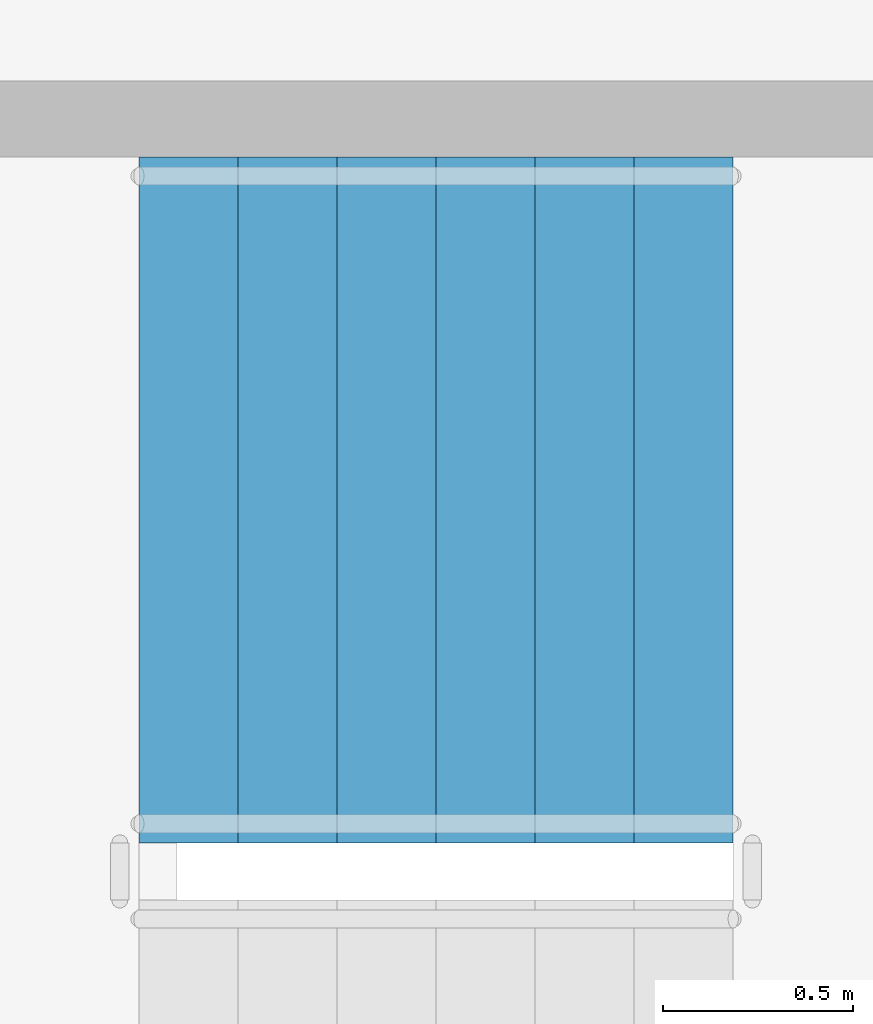
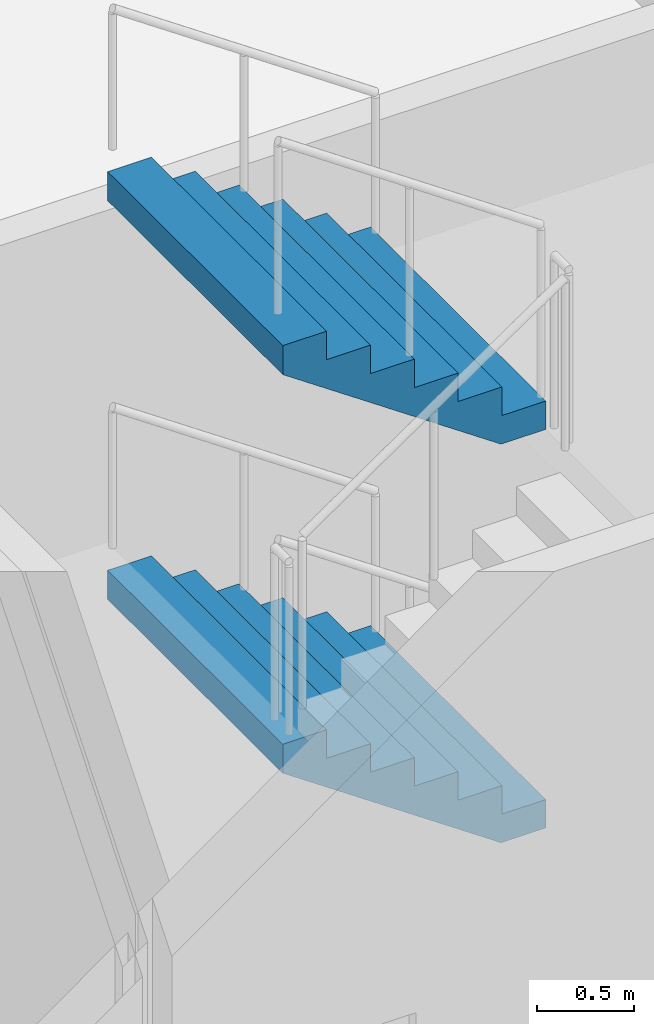
# One storey, part 49 of 59: 2 stair flights, 1 element without a shape of its own.
"""IFC4 building model written with IfcOpenShell, lengths in metres."""

from ifc_helpers import new_model, si_unit, direction, frame, origin, place, context, subcontext, project, spatial, faceted_brep, material, type_object, element, aggregate, save


model = new_model("IFC4")

# Units and contexts
model_context = context("Model", 3, precision=1e-05, world=origin(), true_north=direction((0.0, 1.0)))
body_context = subcontext(model_context, "Body", "Model", "MODEL_VIEW")
ifc_project = project(units=[si_unit("LENGTHUNIT", "METRE"), si_unit("AREAUNIT", "SQUARE_METRE"), si_unit("VOLUMEUNIT", "CUBIC_METRE"), si_unit("PLANEANGLEUNIT", "RADIAN"), si_unit("MASSUNIT", "GRAM", prefix="KILO")], contexts=[model_context])

# Site, building, storey
site_placement = place(None, origin())
site = spatial("IfcSite", under=ifc_project, at=site_placement, CompositionType="ELEMENT")
building_placement = place(site_placement, origin())
building = spatial("IfcBuilding", under=site, at=building_placement, Name="Ipe Terrace Towers", CompositionType="ELEMENT")
storey_placement = place(building_placement, frame((0.0, 0.0, 6.0)))
storey = spatial("IfcBuildingStorey", under=building, at=storey_placement, Name="L01", CompositionType="ELEMENT", Elevation=6.0)

# Stair, stair flights
ifc_material_1 = material(Name="Concrete C30/37", Category="concrete")
stair_type = type_object("IfcStairType", Name="Protected exit stair", PredefinedType="HALF_TURN_STAIR", material=ifc_material_1)
stair_placement = place(storey_placement, origin())
stair = element("IfcStair", 1, at=stair_placement, inside=storey, type_object=stair_type, Name="L01 Podium exit stair PS8", PredefinedType="HALF_TURN_STAIR")
ifc_material_2 = material(Name="Concrete C30/37", Category="concrete")
stair_flight_type = type_object("IfcStairFlightType", Name="Exit stair flight 1800", PredefinedType="STRAIGHT", material=ifc_material_2)
stair_flight_1_placement = place(storey_placement, frame((60.25, 4.449951171875, 1.25), z_axis=(0.0, 0.0, 1.0), x_axis=(-1.0, 0.0, 0.0)))
stair_flight_1 = element("IfcStairFlight", 2, at=stair_flight_1_placement, type_object=stair_flight_type, Name="PS8 flight 2", NumberOfRisers=7, NumberOfTreads=6, PredefinedType="STRAIGHT", RiserHeight=0.178571429, TreadLength=0.26, context=body_context, shape_type="Brep", body=[
    faceted_brep([(0.264892578125, -0.89990234375, 0.0), (1.56005859375, -0.89990234375, 0.8896484375), (1.56005859375, -0.89990234375, 1.071533203125), (1.300048828125, -0.89990234375, 1.071533203125), (1.300048828125, -0.89990234375, 0.892822265625), (1.0400390625, -0.89990234375, 0.892822265625), (1.0400390625, -0.89990234375, 0.71435546875), (0.780029296875, -0.89990234375, 0.71435546875), (0.780029296875, -0.89990234375, 0.53564453125), (0.52001953125, -0.89990234375, 0.53564453125), (0.52001953125, -0.89990234375, 0.357177734375), (0.260009765625, -0.89990234375, 0.357177734375), (0.260009765625, -0.89990234375, 0.178466796875), (0.0, -0.89990234375, 0.178466796875), (0.0, -0.89990234375, 0.0), (0.0, 0.89990234375, 0.0), (0.0, 0.89990234375, 0.178466796875), (0.260009765625, 0.89990234375, 0.178466796875), (0.260009765625, 0.89990234375, 0.357177734375), (0.52001953125, 0.89990234375, 0.357177734375), (0.52001953125, 0.89990234375, 0.53564453125), (0.780029296875, 0.89990234375, 0.53564453125), (0.780029296875, 0.89990234375, 0.71435546875), (1.0400390625, 0.89990234375, 0.71435546875), (1.0400390625, 0.89990234375, 0.892822265625), (1.300048828125, 0.89990234375, 0.892822265625), (1.300048828125, 0.89990234375, 1.071533203125), (1.56005859375, 0.89990234375, 1.071533203125), (1.56005859375, 0.89990234375, 0.8896484375), (0.264892578125, 0.89990234375, 0.0), (0.0, -0.300048828125, 0.178466796875), (0.0, -0.1201171875, 0.178466796875), (0.0, -0.06005859375, 0.178466796875), (0.0, -0.030029296875, 0.178466796875), (0.0, -0.010009765625, 0.178466796875), (0.0, 0.0, 0.178466796875), (0.0, 0.010009765625, 0.178466796875), (0.0, 0.030029296875, 0.178466796875), (0.0, 0.06005859375, 0.178466796875), (0.0, 0.1201171875, 0.178466796875), (0.0, 0.300048828125, 0.178466796875), (0.0, 0.300048828125, 0.0), (0.0, 0.1201171875, 0.0), (0.0, 0.06005859375, 0.0), (0.0, 0.030029296875, 0.0), (0.0, 0.010009765625, 0.0), (0.0, 0.0, 0.0), (0.0, -0.010009765625, 0.0), (0.0, -0.030029296875, 0.0), (0.0, -0.06005859375, 0.0), (0.0, -0.1201171875, 0.0), (0.0, -0.300048828125, 0.0), (0.260009765625, -0.300048828125, 0.178466796875), (0.260009765625, -0.1201171875, 0.178466796875), (0.260009765625, -0.06005859375, 0.178466796875), (0.260009765625, -0.030029296875, 0.178466796875), (0.260009765625, -0.010009765625, 0.178466796875), (0.260009765625, 0.0, 0.178466796875), (0.260009765625, 0.010009765625, 0.178466796875), (0.260009765625, 0.030029296875, 0.178466796875), (0.260009765625, 0.06005859375, 0.178466796875), (0.260009765625, 0.1201171875, 0.178466796875), (0.260009765625, 0.300048828125, 0.178466796875), (0.260009765625, -0.300048828125, 0.357177734375), (0.260009765625, -0.1201171875, 0.357177734375), (0.260009765625, -0.06005859375, 0.357177734375), (0.260009765625, -0.030029296875, 0.357177734375), (0.260009765625, -0.010009765625, 0.357177734375), (0.260009765625, 0.0, 0.357177734375), (0.260009765625, 0.010009765625, 0.357177734375), (0.260009765625, 0.030029296875, 0.357177734375), (0.260009765625, 0.06005859375, 0.357177734375), (0.260009765625, 0.1201171875, 0.357177734375), (0.260009765625, 0.300048828125, 0.357177734375), (0.52001953125, -0.300048828125, 0.357177734375), (0.52001953125, -0.1201171875, 0.357177734375), (0.52001953125, -0.06005859375, 0.357177734375), (0.52001953125, -0.030029296875, 0.357177734375), (0.52001953125, -0.010009765625, 0.357177734375), (0.52001953125, 0.0, 0.357177734375), (0.52001953125, 0.010009765625, 0.357177734375), (0.52001953125, 0.030029296875, 0.357177734375), (0.52001953125, 0.06005859375, 0.357177734375), (0.52001953125, 0.1201171875, 0.357177734375), (0.52001953125, 0.300048828125, 0.357177734375), (0.52001953125, -0.300048828125, 0.53564453125), (0.52001953125, -0.1201171875, 0.53564453125), (0.52001953125, -0.06005859375, 0.53564453125), (0.52001953125, -0.030029296875, 0.53564453125), (0.52001953125, -0.010009765625, 0.53564453125), (0.52001953125, 0.0, 0.53564453125), (0.52001953125, 0.010009765625, 0.53564453125), (0.52001953125, 0.030029296875, 0.53564453125), (0.52001953125, 0.06005859375, 0.53564453125), (0.52001953125, 0.1201171875, 0.53564453125), (0.52001953125, 0.300048828125, 0.53564453125), (0.780029296875, -0.300048828125, 0.53564453125), (0.780029296875, -0.1201171875, 0.53564453125), (0.780029296875, -0.06005859375, 0.53564453125), (0.780029296875, -0.030029296875, 0.53564453125), (0.780029296875, -0.010009765625, 0.53564453125), (0.780029296875, 0.0, 0.53564453125), (0.780029296875, 0.010009765625, 0.53564453125), (0.780029296875, 0.030029296875, 0.53564453125), (0.780029296875, 0.06005859375, 0.53564453125), (0.780029296875, 0.1201171875, 0.53564453125), (0.780029296875, 0.300048828125, 0.53564453125), (0.780029296875, -0.300048828125, 0.71435546875), (0.780029296875, -0.1201171875, 0.71435546875), (0.780029296875, -0.06005859375, 0.71435546875), (0.780029296875, -0.030029296875, 0.71435546875), (0.780029296875, -0.010009765625, 0.71435546875), (0.780029296875, 0.0, 0.71435546875), (0.780029296875, 0.010009765625, 0.71435546875), (0.780029296875, 0.030029296875, 0.71435546875), (0.780029296875, 0.06005859375, 0.71435546875), (0.780029296875, 0.1201171875, 0.71435546875), (0.780029296875, 0.300048828125, 0.71435546875), (1.0400390625, -0.300048828125, 0.71435546875), (1.0400390625, -0.1201171875, 0.71435546875), (1.0400390625, -0.06005859375, 0.71435546875), (1.0400390625, -0.030029296875, 0.71435546875), (1.0400390625, -0.010009765625, 0.71435546875), (1.0400390625, 0.0, 0.71435546875), (1.0400390625, 0.010009765625, 0.71435546875), (1.0400390625, 0.030029296875, 0.71435546875), (1.0400390625, 0.06005859375, 0.71435546875), (1.0400390625, 0.1201171875, 0.71435546875), (1.0400390625, 0.300048828125, 0.71435546875), (1.0400390625, -0.300048828125, 0.892822265625), (1.0400390625, -0.1201171875, 0.892822265625), (1.0400390625, -0.06005859375, 0.892822265625), (1.0400390625, -0.030029296875, 0.892822265625), (1.0400390625, -0.010009765625, 0.892822265625), (1.0400390625, 0.0, 0.892822265625), (1.0400390625, 0.010009765625, 0.892822265625), (1.0400390625, 0.030029296875, 0.892822265625), (1.0400390625, 0.06005859375, 0.892822265625), (1.0400390625, 0.1201171875, 0.892822265625), (1.0400390625, 0.300048828125, 0.892822265625), (1.300048828125, -0.300048828125, 0.892822265625), (1.300048828125, -0.1201171875, 0.892822265625), (1.300048828125, -0.06005859375, 0.892822265625), (1.300048828125, -0.030029296875, 0.892822265625), (1.300048828125, -0.010009765625, 0.892822265625), (1.300048828125, 0.0, 0.892822265625), (1.300048828125, 0.010009765625, 0.892822265625), (1.300048828125, 0.030029296875, 0.892822265625), (1.300048828125, 0.06005859375, 0.892822265625), (1.300048828125, 0.1201171875, 0.892822265625), (1.300048828125, 0.300048828125, 0.892822265625), (1.300048828125, -0.300048828125, 1.071533203125), (1.300048828125, -0.1201171875, 1.071533203125), (1.300048828125, -0.06005859375, 1.071533203125), (1.300048828125, -0.030029296875, 1.071533203125), (1.300048828125, -0.010009765625, 1.071533203125), (1.300048828125, 0.0, 1.071533203125), (1.300048828125, 0.010009765625, 1.071533203125), (1.300048828125, 0.030029296875, 1.071533203125), (1.300048828125, 0.06005859375, 1.071533203125), (1.300048828125, 0.1201171875, 1.071533203125), (1.300048828125, 0.300048828125, 1.071533203125), (1.56005859375, -0.300048828125, 1.071533203125), (1.56005859375, -0.1201171875, 1.071533203125), (1.56005859375, -0.06005859375, 1.071533203125), (1.56005859375, -0.030029296875, 1.071533203125), (1.56005859375, -0.010009765625, 1.071533203125), (1.56005859375, 0.0, 1.071533203125), (1.56005859375, 0.010009765625, 1.071533203125), (1.56005859375, 0.030029296875, 1.071533203125), (1.56005859375, 0.06005859375, 1.071533203125), (1.56005859375, 0.1201171875, 1.071533203125), (1.56005859375, 0.300048828125, 1.071533203125), (1.56005859375, -0.300048828125, 0.8896484375), (1.56005859375, -0.1201171875, 0.8896484375), (1.56005859375, -0.06005859375, 0.8896484375), (1.56005859375, -0.030029296875, 0.8896484375), (1.56005859375, -0.010009765625, 0.8896484375), (1.56005859375, 0.0, 0.8896484375), (1.56005859375, 0.010009765625, 0.8896484375), (1.56005859375, 0.030029296875, 0.8896484375), (1.56005859375, 0.06005859375, 0.8896484375), (1.56005859375, 0.1201171875, 0.8896484375), (1.56005859375, 0.300048828125, 0.8896484375), (0.264892578125, -0.300048828125, 0.0), (0.264892578125, -0.1201171875, 0.0), (0.264892578125, -0.06005859375, 0.0), (0.264892578125, -0.030029296875, 0.0), (0.264892578125, -0.010009765625, 0.0), (0.264892578125, 0.0, 0.0), (0.264892578125, 0.010009765625, 0.0), (0.264892578125, 0.030029296875, 0.0), (0.264892578125, 0.06005859375, 0.0), (0.264892578125, 0.1201171875, 0.0), (0.264892578125, 0.300048828125, 0.0)], [[[0, 1, 2, 3, 4, 5, 6, 7, 8, 9, 10, 11, 12, 13, 14]], [[15, 16, 17, 18, 19, 20, 21, 22, 23, 24, 25, 26, 27, 28, 29]], [[13, 30, 31, 32, 33, 34, 35, 36, 37, 38, 39, 40, 16, 15, 41, 42, 43, 44, 45, 46, 47, 48, 49, 50, 51, 14]], [[12, 52, 53, 54, 55, 56, 57, 58, 59, 60, 61, 62, 17, 16, 40, 39, 38, 37, 36, 35, 34, 33, 32, 31, 30, 13]], [[11, 63, 64, 65, 66, 67, 68, 69, 70, 71, 72, 73, 18, 17, 62, 61, 60, 59, 58, 57, 56, 55, 54, 53, 52, 12]], [[10, 74, 75, 76, 77, 78, 79, 80, 81, 82, 83, 84, 19, 18, 73, 72, 71, 70, 69, 68, 67, 66, 65, 64, 63, 11]], [[9, 85, 86, 87, 88, 89, 90, 91, 92, 93, 94, 95, 20, 19, 84, 83, 82, 81, 80, 79, 78, 77, 76, 75, 74, 10]], [[8, 96, 97, 98, 99, 100, 101, 102, 103, 104, 105, 106, 21, 20, 95, 94, 93, 92, 91, 90, 89, 88, 87, 86, 85, 9]], [[7, 107, 108, 109, 110, 111, 112, 113, 114, 115, 116, 117, 22, 21, 106, 105, 104, 103, 102, 101, 100, 99, 98, 97, 96, 8]], [[6, 118, 119, 120, 121, 122, 123, 124, 125, 126, 127, 128, 23, 22, 117, 116, 115, 114, 113, 112, 111, 110, 109, 108, 107, 7]], [[5, 129, 130, 131, 132, 133, 134, 135, 136, 137, 138, 139, 24, 23, 128, 127, 126, 125, 124, 123, 122, 121, 120, 119, 118, 6]], [[4, 140, 141, 142, 143, 144, 145, 146, 147, 148, 149, 150, 25, 24, 139, 138, 137, 136, 135, 134, 133, 132, 131, 130, 129, 5]], [[3, 151, 152, 153, 154, 155, 156, 157, 158, 159, 160, 161, 26, 25, 150, 149, 148, 147, 146, 145, 144, 143, 142, 141, 140, 4]], [[2, 162, 163, 164, 165, 166, 167, 168, 169, 170, 171, 172, 27, 26, 161, 160, 159, 158, 157, 156, 155, 154, 153, 152, 151, 3]], [[1, 173, 174, 175, 176, 177, 178, 179, 180, 181, 182, 183, 28, 27, 172, 171, 170, 169, 168, 167, 166, 165, 164, 163, 162, 2]], [[0, 184, 185, 186, 187, 188, 189, 190, 191, 192, 193, 194, 29, 28, 183, 182, 181, 180, 179, 178, 177, 176, 175, 174, 173, 1]], [[14, 51, 50, 49, 48, 47, 46, 45, 44, 43, 42, 41, 15, 29, 194, 193, 192, 191, 190, 189, 188, 187, 186, 185, 184, 0]]]),
])
stair_flight_2_placement = place(storey_placement, frame((60.25, 4.449951171875, 3.75), z_axis=(0.0, 0.0, 1.0), x_axis=(-1.0, 0.0, 0.0)))
stair_flight_2 = element("IfcStairFlight", 3, at=stair_flight_2_placement, type_object=stair_flight_type, Name="PS8 flight 4", NumberOfRisers=7, NumberOfTreads=6, PredefinedType="STRAIGHT", RiserHeight=0.178571429, TreadLength=0.26, context=body_context, shape_type="Brep", body=[
    faceted_brep([(0.264892578125, -0.89990234375, 0.0), (1.56005859375, -0.89990234375, 0.8896484375), (1.56005859375, -0.89990234375, 1.071533203125), (1.300048828125, -0.89990234375, 1.071533203125), (1.300048828125, -0.89990234375, 0.892822265625), (1.0400390625, -0.89990234375, 0.892822265625), (1.0400390625, -0.89990234375, 0.71435546875), (0.780029296875, -0.89990234375, 0.71435546875), (0.780029296875, -0.89990234375, 0.53564453125), (0.52001953125, -0.89990234375, 0.53564453125), (0.52001953125, -0.89990234375, 0.357177734375), (0.260009765625, -0.89990234375, 0.357177734375), (0.260009765625, -0.89990234375, 0.178466796875), (0.0, -0.89990234375, 0.178466796875), (0.0, -0.89990234375, 0.0), (0.0, 0.89990234375, 0.0), (0.0, 0.89990234375, 0.178466796875), (0.260009765625, 0.89990234375, 0.178466796875), (0.260009765625, 0.89990234375, 0.357177734375), (0.52001953125, 0.89990234375, 0.357177734375), (0.52001953125, 0.89990234375, 0.53564453125), (0.780029296875, 0.89990234375, 0.53564453125), (0.780029296875, 0.89990234375, 0.71435546875), (1.0400390625, 0.89990234375, 0.71435546875), (1.0400390625, 0.89990234375, 0.892822265625), (1.300048828125, 0.89990234375, 0.892822265625), (1.300048828125, 0.89990234375, 1.071533203125), (1.56005859375, 0.89990234375, 1.071533203125), (1.56005859375, 0.89990234375, 0.8896484375), (0.264892578125, 0.89990234375, 0.0), (0.0, -0.300048828125, 0.178466796875), (0.0, -0.1201171875, 0.178466796875), (0.0, -0.06005859375, 0.178466796875), (0.0, -0.030029296875, 0.178466796875), (0.0, -0.010009765625, 0.178466796875), (0.0, 0.0, 0.178466796875), (0.0, 0.010009765625, 0.178466796875), (0.0, 0.030029296875, 0.178466796875), (0.0, 0.06005859375, 0.178466796875), (0.0, 0.1201171875, 0.178466796875), (0.0, 0.300048828125, 0.178466796875), (0.0, 0.300048828125, 0.0), (0.0, 0.1201171875, 0.0), (0.0, 0.06005859375, 0.0), (0.0, 0.030029296875, 0.0), (0.0, 0.010009765625, 0.0), (0.0, 0.0, 0.0), (0.0, -0.010009765625, 0.0), (0.0, -0.030029296875, 0.0), (0.0, -0.06005859375, 0.0), (0.0, -0.1201171875, 0.0), (0.0, -0.300048828125, 0.0), (0.260009765625, -0.300048828125, 0.178466796875), (0.260009765625, -0.1201171875, 0.178466796875), (0.260009765625, -0.06005859375, 0.178466796875), (0.260009765625, -0.030029296875, 0.178466796875), (0.260009765625, -0.010009765625, 0.178466796875), (0.260009765625, 0.0, 0.178466796875), (0.260009765625, 0.010009765625, 0.178466796875), (0.260009765625, 0.030029296875, 0.178466796875), (0.260009765625, 0.06005859375, 0.178466796875), (0.260009765625, 0.1201171875, 0.178466796875), (0.260009765625, 0.300048828125, 0.178466796875), (0.260009765625, -0.300048828125, 0.357177734375), (0.260009765625, -0.1201171875, 0.357177734375), (0.260009765625, -0.06005859375, 0.357177734375), (0.260009765625, -0.030029296875, 0.357177734375), (0.260009765625, -0.010009765625, 0.357177734375), (0.260009765625, 0.0, 0.357177734375), (0.260009765625, 0.010009765625, 0.357177734375), (0.260009765625, 0.030029296875, 0.357177734375), (0.260009765625, 0.06005859375, 0.357177734375), (0.260009765625, 0.1201171875, 0.357177734375), (0.260009765625, 0.300048828125, 0.357177734375), (0.52001953125, -0.300048828125, 0.357177734375), (0.52001953125, -0.1201171875, 0.357177734375), (0.52001953125, -0.06005859375, 0.357177734375), (0.52001953125, -0.030029296875, 0.357177734375), (0.52001953125, -0.010009765625, 0.357177734375), (0.52001953125, 0.0, 0.357177734375), (0.52001953125, 0.010009765625, 0.357177734375), (0.52001953125, 0.030029296875, 0.357177734375), (0.52001953125, 0.06005859375, 0.357177734375), (0.52001953125, 0.1201171875, 0.357177734375), (0.52001953125, 0.300048828125, 0.357177734375), (0.52001953125, -0.300048828125, 0.53564453125), (0.52001953125, -0.1201171875, 0.53564453125), (0.52001953125, -0.06005859375, 0.53564453125), (0.52001953125, -0.030029296875, 0.53564453125), (0.52001953125, -0.010009765625, 0.53564453125), (0.52001953125, 0.0, 0.53564453125), (0.52001953125, 0.010009765625, 0.53564453125), (0.52001953125, 0.030029296875, 0.53564453125), (0.52001953125, 0.06005859375, 0.53564453125), (0.52001953125, 0.1201171875, 0.53564453125), (0.52001953125, 0.300048828125, 0.53564453125), (0.780029296875, -0.300048828125, 0.53564453125), (0.780029296875, -0.1201171875, 0.53564453125), (0.780029296875, -0.06005859375, 0.53564453125), (0.780029296875, -0.030029296875, 0.53564453125), (0.780029296875, -0.010009765625, 0.53564453125), (0.780029296875, 0.0, 0.53564453125), (0.780029296875, 0.010009765625, 0.53564453125), (0.780029296875, 0.030029296875, 0.53564453125), (0.780029296875, 0.06005859375, 0.53564453125), (0.780029296875, 0.1201171875, 0.53564453125), (0.780029296875, 0.300048828125, 0.53564453125), (0.780029296875, -0.300048828125, 0.71435546875), (0.780029296875, -0.1201171875, 0.71435546875), (0.780029296875, -0.06005859375, 0.71435546875), (0.780029296875, -0.030029296875, 0.71435546875), (0.780029296875, -0.010009765625, 0.71435546875), (0.780029296875, 0.0, 0.71435546875), (0.780029296875, 0.010009765625, 0.71435546875), (0.780029296875, 0.030029296875, 0.71435546875), (0.780029296875, 0.06005859375, 0.71435546875), (0.780029296875, 0.1201171875, 0.71435546875), (0.780029296875, 0.300048828125, 0.71435546875), (1.0400390625, -0.300048828125, 0.71435546875), (1.0400390625, -0.1201171875, 0.71435546875), (1.0400390625, -0.06005859375, 0.71435546875), (1.0400390625, -0.030029296875, 0.71435546875), (1.0400390625, -0.010009765625, 0.71435546875), (1.0400390625, 0.0, 0.71435546875), (1.0400390625, 0.010009765625, 0.71435546875), (1.0400390625, 0.030029296875, 0.71435546875), (1.0400390625, 0.06005859375, 0.71435546875), (1.0400390625, 0.1201171875, 0.71435546875), (1.0400390625, 0.300048828125, 0.71435546875), (1.0400390625, -0.300048828125, 0.892822265625), (1.0400390625, -0.1201171875, 0.892822265625), (1.0400390625, -0.06005859375, 0.892822265625), (1.0400390625, -0.030029296875, 0.892822265625), (1.0400390625, -0.010009765625, 0.892822265625), (1.0400390625, 0.0, 0.892822265625), (1.0400390625, 0.010009765625, 0.892822265625), (1.0400390625, 0.030029296875, 0.892822265625), (1.0400390625, 0.06005859375, 0.892822265625), (1.0400390625, 0.1201171875, 0.892822265625), (1.0400390625, 0.300048828125, 0.892822265625), (1.300048828125, -0.300048828125, 0.892822265625), (1.300048828125, -0.1201171875, 0.892822265625), (1.300048828125, -0.06005859375, 0.892822265625), (1.300048828125, -0.030029296875, 0.892822265625), (1.300048828125, -0.010009765625, 0.892822265625), (1.300048828125, 0.0, 0.892822265625), (1.300048828125, 0.010009765625, 0.892822265625), (1.300048828125, 0.030029296875, 0.892822265625), (1.300048828125, 0.06005859375, 0.892822265625), (1.300048828125, 0.1201171875, 0.892822265625), (1.300048828125, 0.300048828125, 0.892822265625), (1.300048828125, -0.300048828125, 1.071533203125), (1.300048828125, -0.1201171875, 1.071533203125), (1.300048828125, -0.06005859375, 1.071533203125), (1.300048828125, -0.030029296875, 1.071533203125), (1.300048828125, -0.010009765625, 1.071533203125), (1.300048828125, 0.0, 1.071533203125), (1.300048828125, 0.010009765625, 1.071533203125), (1.300048828125, 0.030029296875, 1.071533203125), (1.300048828125, 0.06005859375, 1.071533203125), (1.300048828125, 0.1201171875, 1.071533203125), (1.300048828125, 0.300048828125, 1.071533203125), (1.56005859375, -0.300048828125, 1.071533203125), (1.56005859375, -0.1201171875, 1.071533203125), (1.56005859375, -0.06005859375, 1.071533203125), (1.56005859375, -0.030029296875, 1.071533203125), (1.56005859375, -0.010009765625, 1.071533203125), (1.56005859375, 0.0, 1.071533203125), (1.56005859375, 0.010009765625, 1.071533203125), (1.56005859375, 0.030029296875, 1.071533203125), (1.56005859375, 0.06005859375, 1.071533203125), (1.56005859375, 0.1201171875, 1.071533203125), (1.56005859375, 0.300048828125, 1.071533203125), (1.56005859375, -0.300048828125, 0.8896484375), (1.56005859375, -0.1201171875, 0.8896484375), (1.56005859375, -0.06005859375, 0.8896484375), (1.56005859375, -0.030029296875, 0.8896484375), (1.56005859375, -0.010009765625, 0.8896484375), (1.56005859375, 0.0, 0.8896484375), (1.56005859375, 0.010009765625, 0.8896484375), (1.56005859375, 0.030029296875, 0.8896484375), (1.56005859375, 0.06005859375, 0.8896484375), (1.56005859375, 0.1201171875, 0.8896484375), (1.56005859375, 0.300048828125, 0.8896484375), (0.264892578125, -0.300048828125, 0.0), (0.264892578125, -0.1201171875, 0.0), (0.264892578125, -0.06005859375, 0.0), (0.264892578125, -0.030029296875, 0.0), (0.264892578125, -0.010009765625, 0.0), (0.264892578125, 0.0, 0.0), (0.264892578125, 0.010009765625, 0.0), (0.264892578125, 0.030029296875, 0.0), (0.264892578125, 0.06005859375, 0.0), (0.264892578125, 0.1201171875, 0.0), (0.264892578125, 0.300048828125, 0.0)], [[[0, 1, 2, 3, 4, 5, 6, 7, 8, 9, 10, 11, 12, 13, 14]], [[15, 16, 17, 18, 19, 20, 21, 22, 23, 24, 25, 26, 27, 28, 29]], [[13, 30, 31, 32, 33, 34, 35, 36, 37, 38, 39, 40, 16, 15, 41, 42, 43, 44, 45, 46, 47, 48, 49, 50, 51, 14]], [[12, 52, 53, 54, 55, 56, 57, 58, 59, 60, 61, 62, 17, 16, 40, 39, 38, 37, 36, 35, 34, 33, 32, 31, 30, 13]], [[11, 63, 64, 65, 66, 67, 68, 69, 70, 71, 72, 73, 18, 17, 62, 61, 60, 59, 58, 57, 56, 55, 54, 53, 52, 12]], [[10, 74, 75, 76, 77, 78, 79, 80, 81, 82, 83, 84, 19, 18, 73, 72, 71, 70, 69, 68, 67, 66, 65, 64, 63, 11]], [[9, 85, 86, 87, 88, 89, 90, 91, 92, 93, 94, 95, 20, 19, 84, 83, 82, 81, 80, 79, 78, 77, 76, 75, 74, 10]], [[8, 96, 97, 98, 99, 100, 101, 102, 103, 104, 105, 106, 21, 20, 95, 94, 93, 92, 91, 90, 89, 88, 87, 86, 85, 9]], [[7, 107, 108, 109, 110, 111, 112, 113, 114, 115, 116, 117, 22, 21, 106, 105, 104, 103, 102, 101, 100, 99, 98, 97, 96, 8]], [[6, 118, 119, 120, 121, 122, 123, 124, 125, 126, 127, 128, 23, 22, 117, 116, 115, 114, 113, 112, 111, 110, 109, 108, 107, 7]], [[5, 129, 130, 131, 132, 133, 134, 135, 136, 137, 138, 139, 24, 23, 128, 127, 126, 125, 124, 123, 122, 121, 120, 119, 118, 6]], [[4, 140, 141, 142, 143, 144, 145, 146, 147, 148, 149, 150, 25, 24, 139, 138, 137, 136, 135, 134, 133, 132, 131, 130, 129, 5]], [[3, 151, 152, 153, 154, 155, 156, 157, 158, 159, 160, 161, 26, 25, 150, 149, 148, 147, 146, 145, 144, 143, 142, 141, 140, 4]], [[2, 162, 163, 164, 165, 166, 167, 168, 169, 170, 171, 172, 27, 26, 161, 160, 159, 158, 157, 156, 155, 154, 153, 152, 151, 3]], [[1, 173, 174, 175, 176, 177, 178, 179, 180, 181, 182, 183, 28, 27, 172, 171, 170, 169, 168, 167, 166, 165, 164, 163, 162, 2]], [[0, 184, 185, 186, 187, 188, 189, 190, 191, 192, 193, 194, 29, 28, 183, 182, 181, 180, 179, 178, 177, 176, 175, 174, 173, 1]], [[14, 51, 50, 49, 48, 47, 46, 45, 44, 43, 42, 41, 15, 29, 194, 193, 192, 191, 190, 189, 188, 187, 186, 185, 184, 0]]]),
])
aggregate(stair, [stair_flight_1, stair_flight_2])

save(model, "model.ifc")
